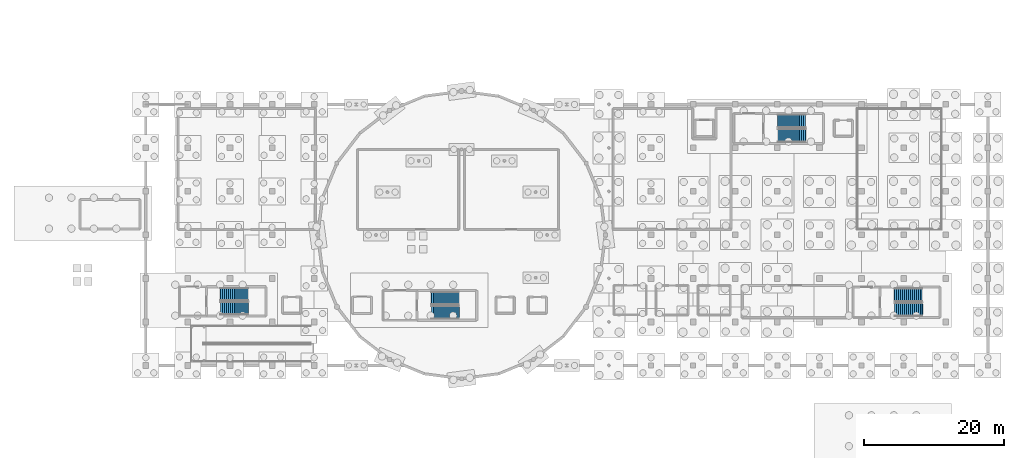
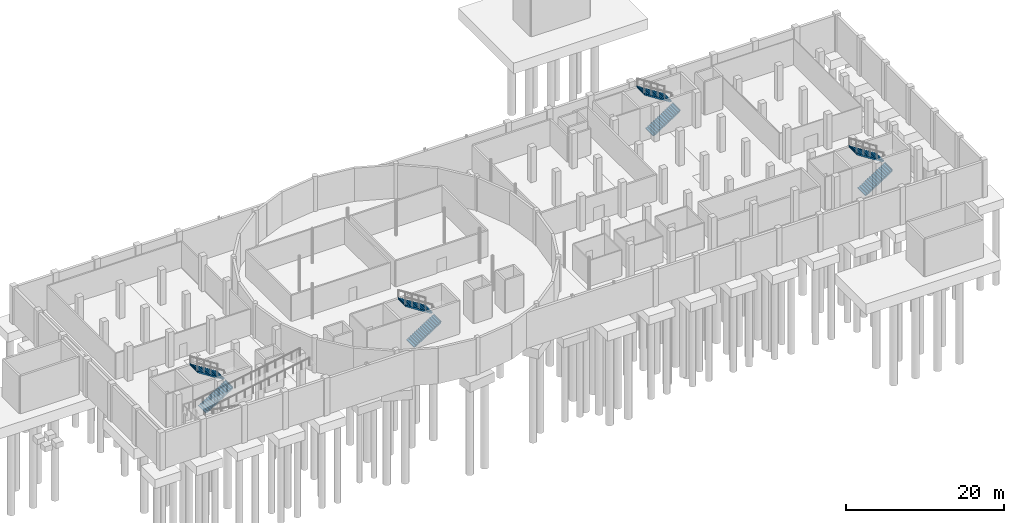
# One storey, part 15 of 19: 8 stair flights, 4 elements without a shape of their own.
"""IFC4 building model written with IfcOpenShell, lengths in metres."""

from ifc_helpers import new_model, si_unit, direction, frame, origin, place, context, subcontext, project, spatial, polyline, outline, extrude, material, type_object, element, aggregate, save


model = new_model("IFC4")

# Units and contexts
model_context = context("Model", 3, precision=1e-05, world=origin(), true_north=direction((0.0, 1.0)))
body_context = subcontext(model_context, "Body", "Model", "MODEL_VIEW")
ifc_project = project(units=[si_unit("LENGTHUNIT", "METRE"), si_unit("AREAUNIT", "SQUARE_METRE"), si_unit("VOLUMEUNIT", "CUBIC_METRE"), si_unit("PLANEANGLEUNIT", "RADIAN"), si_unit("MASSUNIT", "GRAM", prefix="KILO")], contexts=[model_context])

# Site, building, storey
site_placement = place(None, origin())
site = spatial("IfcSite", under=ifc_project, at=site_placement, CompositionType="ELEMENT")
building_placement = place(site_placement, origin())
building = spatial("IfcBuilding", under=site, at=building_placement, Name="Mirzam Square Science Centre", CompositionType="ELEMENT")
storey_placement = place(building_placement, frame((0.0, 0.0, -5.39990234375)))
storey = spatial("IfcBuildingStorey", under=building, at=storey_placement, Name="B01", CompositionType="ELEMENT", Elevation=-5.39990234375)

# Stair, stair flights
ifc_material = material(Name="Concrete C40/50", Category="concrete")
stair_type_1 = type_object("IfcStairType", Name="ST-CORE-1-540", PredefinedType="HALF_TURN_STAIR", material=ifc_material)
stair_1_placement = place(storey_placement, origin())
stair_1 = element("IfcStair", 1, at=stair_1_placement, inside=storey, type_object=stair_type_1, Name="B01 ST-01", PredefinedType="HALF_TURN_STAIR")
stair_flight_type_1 = type_object("IfcStairFlightType", Name="STF-CORE-1-30R", PredefinedType="STRAIGHT", material=ifc_material)
stair_flight_1_placement = place(storey_placement, frame((46.64990234375, 51.52490234375, 0.0), z_axis=(0.0, 0.0, 1.0), x_axis=(1.0, 0.0, 0.0)))
stair_flight_1 = element("IfcStairFlight", 2, at=stair_flight_1_placement, type_object=stair_flight_type_1, Name="ST-01 flight 1", NumberOfRisers=15, NumberOfTreads=14, PredefinedType="STRAIGHT", RiserHeight=0.18, TreadLength=0.28, context=body_context, shape_type="SweptSolid", body=[
    extrude(outline(polyline([(0.0, 0.0), (0.0, 0.179931640625), (0.280029296875, 0.179931640625), (0.280029296875, 0.360107421875), (0.56005859375, 0.360107421875), (0.56005859375, 0.5400390625), (0.840087890625, 0.5400390625), (0.840087890625, 0.719970703125), (1.1201171875, 0.719970703125), (1.1201171875, 0.89990234375), (1.39990234375, 0.89990234375), (1.39990234375, 1.080078125), (1.679931640625, 1.080078125), (1.679931640625, 1.260009765625), (1.9599609375, 1.260009765625), (1.9599609375, 1.43994140625), (2.239990234375, 1.43994140625), (2.239990234375, 1.6201171875), (2.52001953125, 1.6201171875), (2.52001953125, 1.800048828125), (2.800048828125, 1.800048828125), (2.800048828125, 1.97998046875), (3.080078125, 1.97998046875), (3.080078125, 2.159912109375), (3.360107421875, 2.159912109375), (3.360107421875, 2.340087890625), (3.639892578125, 2.340087890625), (3.639892578125, 2.52001953125), (3.919921875, 2.52001953125), (3.919921875, 2.699951171875), (4.0, 2.699951171875), (4.0, 2.550048828125), (3.919921875, 2.341796875), (0.277099609375, 0.0), (0.0, 0.0)])), frame((0.0, 0.925048828125, 0.0), z_axis=(0.0, -1.0, 0.0), x_axis=(1.0, 0.0, 0.0)), (0.0, 0.0, 1.0), 1.85009765625),
])
stair_flight_2_placement = place(storey_placement, frame((50.570068359375, 53.52490234375, 2.699951171875), z_axis=(0.0, 0.0, 1.0), x_axis=(-1.0, 0.0, 0.0)))
stair_flight_2 = element("IfcStairFlight", 3, at=stair_flight_2_placement, type_object=stair_flight_type_1, Name="ST-01 flight 2", NumberOfRisers=15, NumberOfTreads=14, PredefinedType="STRAIGHT", RiserHeight=0.18, TreadLength=0.28, context=body_context, shape_type="SweptSolid", body=[
    extrude(outline(polyline([(0.0, 0.0), (0.0, 0.179931640625), (0.280029296875, 0.179931640625), (0.280029296875, 0.360107421875), (0.56005859375, 0.360107421875), (0.56005859375, 0.5400390625), (0.840087890625, 0.5400390625), (0.840087890625, 0.719970703125), (1.1201171875, 0.719970703125), (1.1201171875, 0.89990234375), (1.39990234375, 0.89990234375), (1.39990234375, 1.080078125), (1.679931640625, 1.080078125), (1.679931640625, 1.260009765625), (1.9599609375, 1.260009765625), (1.9599609375, 1.43994140625), (2.239990234375, 1.43994140625), (2.239990234375, 1.6201171875), (2.52001953125, 1.6201171875), (2.52001953125, 1.800048828125), (2.800048828125, 1.800048828125), (2.800048828125, 1.97998046875), (3.080078125, 1.97998046875), (3.080078125, 2.159912109375), (3.360107421875, 2.159912109375), (3.360107421875, 2.340087890625), (3.639892578125, 2.340087890625), (3.639892578125, 2.52001953125), (3.919921875, 2.52001953125), (3.919921875, 2.699951171875), (4.0, 2.699951171875), (4.0, 2.550048828125), (3.919921875, 2.341796875), (0.277099609375, 0.0), (0.0, 0.0)])), frame((0.0, 0.925048828125, 0.0), z_axis=(0.0, -1.0, 0.0), x_axis=(1.0, 0.0, 0.0)), (0.0, 0.0, 1.0), 1.85009765625),
])
aggregate(stair_1, [stair_flight_1, stair_flight_2])

stair_type_2 = type_object("IfcStairType", Name="ST-CORE-3-540", PredefinedType="HALF_TURN_STAIR", material=ifc_material)
stair_2_placement = place(storey_placement, origin())
stair_2 = element("IfcStair", 4, at=stair_2_placement, inside=storey, type_object=stair_type_2, Name="B01 ST-03", PredefinedType="HALF_TURN_STAIR")
stair_flight_type_2 = type_object("IfcStairFlightType", Name="STF-CORE-3-30R", PredefinedType="STRAIGHT", material=ifc_material)
stair_flight_3_placement = place(storey_placement, frame((76.68994140625, 50.945068359375, 0.0), z_axis=(0.0, 0.0, 1.0), x_axis=(1.0, 0.0, 0.0)))
stair_flight_3 = element("IfcStairFlight", 5, at=stair_flight_3_placement, type_object=stair_flight_type_2, Name="ST-03 flight 1", NumberOfRisers=15, NumberOfTreads=14, PredefinedType="STRAIGHT", RiserHeight=0.18, TreadLength=0.28, context=body_context, shape_type="SweptSolid", body=[
    extrude(outline(polyline([(0.0, 0.0), (0.0, 0.179931640625), (0.280029296875, 0.179931640625), (0.280029296875, 0.360107421875), (0.56005859375, 0.360107421875), (0.56005859375, 0.5400390625), (0.840087890625, 0.5400390625), (0.840087890625, 0.719970703125), (1.1201171875, 0.719970703125), (1.1201171875, 0.89990234375), (1.39990234375, 0.89990234375), (1.39990234375, 1.080078125), (1.679931640625, 1.080078125), (1.679931640625, 1.260009765625), (1.9599609375, 1.260009765625), (1.9599609375, 1.43994140625), (2.239990234375, 1.43994140625), (2.239990234375, 1.6201171875), (2.52001953125, 1.6201171875), (2.52001953125, 1.800048828125), (2.800048828125, 1.800048828125), (2.800048828125, 1.97998046875), (3.080078125, 1.97998046875), (3.080078125, 2.159912109375), (3.360107421875, 2.159912109375), (3.360107421875, 2.340087890625), (3.639892578125, 2.340087890625), (3.639892578125, 2.52001953125), (3.919921875, 2.52001953125), (3.919921875, 2.699951171875), (4.0, 2.699951171875), (4.0, 2.550048828125), (3.919921875, 2.341796875), (0.277099609375, 0.0), (0.0, 0.0)])), frame((0.0, 0.94482421875, 0.0), z_axis=(0.0, -1.0, 0.0), x_axis=(1.0, 0.0, 0.0)), (0.0, 0.0, 1.0), 1.889892578125),
])
stair_flight_4_placement = place(storey_placement, frame((80.610107421875, 52.985107421875, 2.699951171875), z_axis=(0.0, 0.0, 1.0), x_axis=(-1.0, 0.0, 0.0)))
stair_flight_4 = element("IfcStairFlight", 6, at=stair_flight_4_placement, type_object=stair_flight_type_2, Name="ST-03 flight 2", NumberOfRisers=15, NumberOfTreads=14, PredefinedType="STRAIGHT", RiserHeight=0.18, TreadLength=0.28, context=body_context, shape_type="SweptSolid", body=[
    extrude(outline(polyline([(0.0, 0.0), (0.0, 0.179931640625), (0.280029296875, 0.179931640625), (0.280029296875, 0.360107421875), (0.56005859375, 0.360107421875), (0.56005859375, 0.5400390625), (0.840087890625, 0.5400390625), (0.840087890625, 0.719970703125), (1.1201171875, 0.719970703125), (1.1201171875, 0.89990234375), (1.39990234375, 0.89990234375), (1.39990234375, 1.080078125), (1.679931640625, 1.080078125), (1.679931640625, 1.260009765625), (1.9599609375, 1.260009765625), (1.9599609375, 1.43994140625), (2.239990234375, 1.43994140625), (2.239990234375, 1.6201171875), (2.52001953125, 1.6201171875), (2.52001953125, 1.800048828125), (2.800048828125, 1.800048828125), (2.800048828125, 1.97998046875), (3.080078125, 1.97998046875), (3.080078125, 2.159912109375), (3.360107421875, 2.159912109375), (3.360107421875, 2.340087890625), (3.639892578125, 2.340087890625), (3.639892578125, 2.52001953125), (3.919921875, 2.52001953125), (3.919921875, 2.699951171875), (4.0, 2.699951171875), (4.0, 2.550048828125), (3.919921875, 2.341796875), (0.277099609375, 0.0), (0.0, 0.0)])), frame((0.0, 0.94482421875, 0.0), z_axis=(0.0, -1.0, 0.0), x_axis=(1.0, 0.0, 0.0)), (0.0, 0.0, 1.0), 1.889892578125),
])
aggregate(stair_2, [stair_flight_3, stair_flight_4])

stair_type_3 = type_object("IfcStairType", Name="ST-CORE-4-540", PredefinedType="HALF_TURN_STAIR", material=ifc_material)
stair_3_placement = place(storey_placement, origin())
stair_3 = element("IfcStair", 7, at=stair_3_placement, inside=storey, type_object=stair_type_3, Name="B01 ST-04", PredefinedType="HALF_TURN_STAIR")
stair_flight_type_3 = type_object("IfcStairFlightType", Name="STF-CORE-4-30R", PredefinedType="STRAIGHT", material=ifc_material)
stair_flight_5_placement = place(storey_placement, frame((126.110107421875, 76.155029296875, 0.0), z_axis=(0.0, 0.0, 1.0), x_axis=(1.0, 0.0, 0.0)))
stair_flight_5 = element("IfcStairFlight", 8, at=stair_flight_5_placement, type_object=stair_flight_type_3, Name="ST-04 flight 1", NumberOfRisers=15, NumberOfTreads=14, PredefinedType="STRAIGHT", RiserHeight=0.18, TreadLength=0.28, context=body_context, shape_type="SweptSolid", body=[
    extrude(outline(polyline([(0.0, 0.0), (0.0, 0.179931640625), (0.280029296875, 0.179931640625), (0.280029296875, 0.360107421875), (0.56005859375, 0.360107421875), (0.56005859375, 0.5400390625), (0.840087890625, 0.5400390625), (0.840087890625, 0.719970703125), (1.1201171875, 0.719970703125), (1.1201171875, 0.89990234375), (1.39990234375, 0.89990234375), (1.39990234375, 1.080078125), (1.679931640625, 1.080078125), (1.679931640625, 1.260009765625), (1.9599609375, 1.260009765625), (1.9599609375, 1.43994140625), (2.239990234375, 1.43994140625), (2.239990234375, 1.6201171875), (2.52001953125, 1.6201171875), (2.52001953125, 1.800048828125), (2.800048828125, 1.800048828125), (2.800048828125, 1.97998046875), (3.080078125, 1.97998046875), (3.080078125, 2.159912109375), (3.360107421875, 2.159912109375), (3.360107421875, 2.340087890625), (3.639892578125, 2.340087890625), (3.639892578125, 2.52001953125), (3.919921875, 2.52001953125), (3.919921875, 2.699951171875), (4.0, 2.699951171875), (4.0, 2.550048828125), (3.919921875, 2.341796875), (0.277099609375, 0.0), (0.0, 0.0)])), frame((0.0, 0.955078125, 0.0), z_axis=(0.0, -1.0, 0.0), x_axis=(1.0, 0.0, 0.0)), (0.0, 0.0, 1.0), 1.909912109375),
])
stair_flight_6_placement = place(storey_placement, frame((130.030029296875, 78.215087890625, 2.699951171875), z_axis=(0.0, 0.0, 1.0), x_axis=(-1.0, 0.0, 0.0)))
stair_flight_6 = element("IfcStairFlight", 9, at=stair_flight_6_placement, type_object=stair_flight_type_3, Name="ST-04 flight 2", NumberOfRisers=15, NumberOfTreads=14, PredefinedType="STRAIGHT", RiserHeight=0.18, TreadLength=0.28, context=body_context, shape_type="SweptSolid", body=[
    extrude(outline(polyline([(0.0, 0.0), (0.0, 0.179931640625), (0.280029296875, 0.179931640625), (0.280029296875, 0.360107421875), (0.56005859375, 0.360107421875), (0.56005859375, 0.5400390625), (0.840087890625, 0.5400390625), (0.840087890625, 0.719970703125), (1.1201171875, 0.719970703125), (1.1201171875, 0.89990234375), (1.39990234375, 0.89990234375), (1.39990234375, 1.080078125), (1.679931640625, 1.080078125), (1.679931640625, 1.260009765625), (1.9599609375, 1.260009765625), (1.9599609375, 1.43994140625), (2.239990234375, 1.43994140625), (2.239990234375, 1.6201171875), (2.52001953125, 1.6201171875), (2.52001953125, 1.800048828125), (2.800048828125, 1.800048828125), (2.800048828125, 1.97998046875), (3.080078125, 1.97998046875), (3.080078125, 2.159912109375), (3.360107421875, 2.159912109375), (3.360107421875, 2.340087890625), (3.639892578125, 2.340087890625), (3.639892578125, 2.52001953125), (3.919921875, 2.52001953125), (3.919921875, 2.699951171875), (4.0, 2.699951171875), (4.0, 2.550048828125), (3.919921875, 2.341796875), (0.277099609375, 0.0), (0.0, 0.0)])), frame((0.0, 0.955078125, 0.0), z_axis=(0.0, -1.0, 0.0), x_axis=(1.0, 0.0, 0.0)), (0.0, 0.0, 1.0), 1.909912109375),
])
aggregate(stair_3, [stair_flight_5, stair_flight_6])

stair_type_4 = type_object("IfcStairType", Name="ST-CORE-5-540", PredefinedType="HALF_TURN_STAIR", material=ifc_material)
stair_4_placement = place(storey_placement, origin())
stair_4 = element("IfcStair", 10, at=stair_4_placement, inside=storey, type_object=stair_type_4, Name="B01 ST-05", PredefinedType="HALF_TURN_STAIR")
stair_flight_type_4 = type_object("IfcStairFlightType", Name="STF-CORE-5-30R", PredefinedType="STRAIGHT", material=ifc_material)
stair_flight_7_placement = place(storey_placement, frame((142.72998046875, 51.364990234375, 0.0), z_axis=(0.0, 0.0, 1.0), x_axis=(1.0, 0.0, 0.0)))
stair_flight_7 = element("IfcStairFlight", 11, at=stair_flight_7_placement, type_object=stair_flight_type_4, Name="ST-05 flight 1", NumberOfRisers=15, NumberOfTreads=14, PredefinedType="STRAIGHT", RiserHeight=0.18, TreadLength=0.28, context=body_context, shape_type="SweptSolid", body=[
    extrude(outline(polyline([(0.0, 0.0), (0.0, 0.179931640625), (0.280029296875, 0.179931640625), (0.280029296875, 0.360107421875), (0.56005859375, 0.360107421875), (0.56005859375, 0.5400390625), (0.840087890625, 0.5400390625), (0.840087890625, 0.719970703125), (1.1201171875, 0.719970703125), (1.1201171875, 0.89990234375), (1.39990234375, 0.89990234375), (1.39990234375, 1.080078125), (1.679931640625, 1.080078125), (1.679931640625, 1.260009765625), (1.9599609375, 1.260009765625), (1.9599609375, 1.43994140625), (2.239990234375, 1.43994140625), (2.239990234375, 1.6201171875), (2.52001953125, 1.6201171875), (2.52001953125, 1.800048828125), (2.800048828125, 1.800048828125), (2.800048828125, 1.97998046875), (3.080078125, 1.97998046875), (3.080078125, 2.159912109375), (3.360107421875, 2.159912109375), (3.360107421875, 2.340087890625), (3.639892578125, 2.340087890625), (3.639892578125, 2.52001953125), (3.919921875, 2.52001953125), (3.919921875, 2.699951171875), (4.0, 2.699951171875), (4.0, 2.550048828125), (3.919921875, 2.341796875), (0.277099609375, 0.0), (0.0, 0.0)])), frame((0.0, 0.96484375, 0.0), z_axis=(0.0, -1.0, 0.0), x_axis=(1.0, 0.0, 0.0)), (0.0, 0.0, 1.0), 1.929931640625),
])
stair_flight_8_placement = place(storey_placement, frame((146.64990234375, 53.445068359375, 2.699951171875), z_axis=(0.0, 0.0, 1.0), x_axis=(-1.0, 0.0, 0.0)))
stair_flight_8 = element("IfcStairFlight", 12, at=stair_flight_8_placement, type_object=stair_flight_type_4, Name="ST-05 flight 2", NumberOfRisers=15, NumberOfTreads=14, PredefinedType="STRAIGHT", RiserHeight=0.18, TreadLength=0.28, context=body_context, shape_type="SweptSolid", body=[
    extrude(outline(polyline([(0.0, 0.0), (0.0, 0.179931640625), (0.280029296875, 0.179931640625), (0.280029296875, 0.360107421875), (0.56005859375, 0.360107421875), (0.56005859375, 0.5400390625), (0.840087890625, 0.5400390625), (0.840087890625, 0.719970703125), (1.1201171875, 0.719970703125), (1.1201171875, 0.89990234375), (1.39990234375, 0.89990234375), (1.39990234375, 1.080078125), (1.679931640625, 1.080078125), (1.679931640625, 1.260009765625), (1.9599609375, 1.260009765625), (1.9599609375, 1.43994140625), (2.239990234375, 1.43994140625), (2.239990234375, 1.6201171875), (2.52001953125, 1.6201171875), (2.52001953125, 1.800048828125), (2.800048828125, 1.800048828125), (2.800048828125, 1.97998046875), (3.080078125, 1.97998046875), (3.080078125, 2.159912109375), (3.360107421875, 2.159912109375), (3.360107421875, 2.340087890625), (3.639892578125, 2.340087890625), (3.639892578125, 2.52001953125), (3.919921875, 2.52001953125), (3.919921875, 2.699951171875), (4.0, 2.699951171875), (4.0, 2.550048828125), (3.919921875, 2.341796875), (0.277099609375, 0.0), (0.0, 0.0)])), frame((0.0, 0.96484375, 0.0), z_axis=(0.0, -1.0, 0.0), x_axis=(1.0, 0.0, 0.0)), (0.0, 0.0, 1.0), 1.929931640625),
])
aggregate(stair_4, [stair_flight_7, stair_flight_8])

save(model, "model.ifc")
